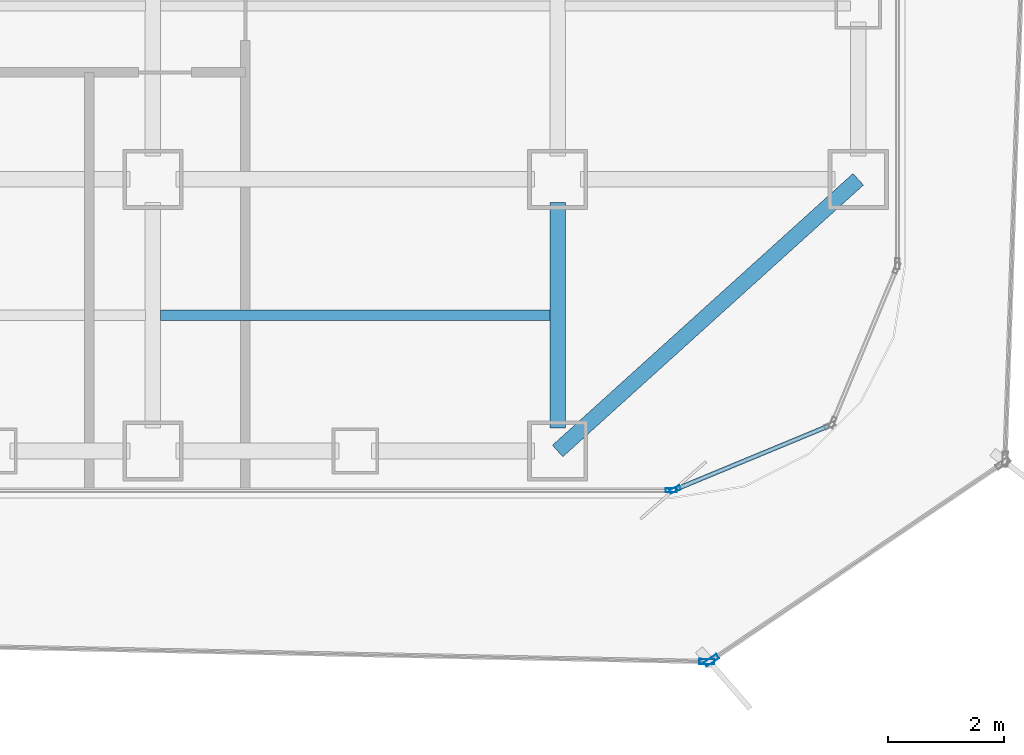
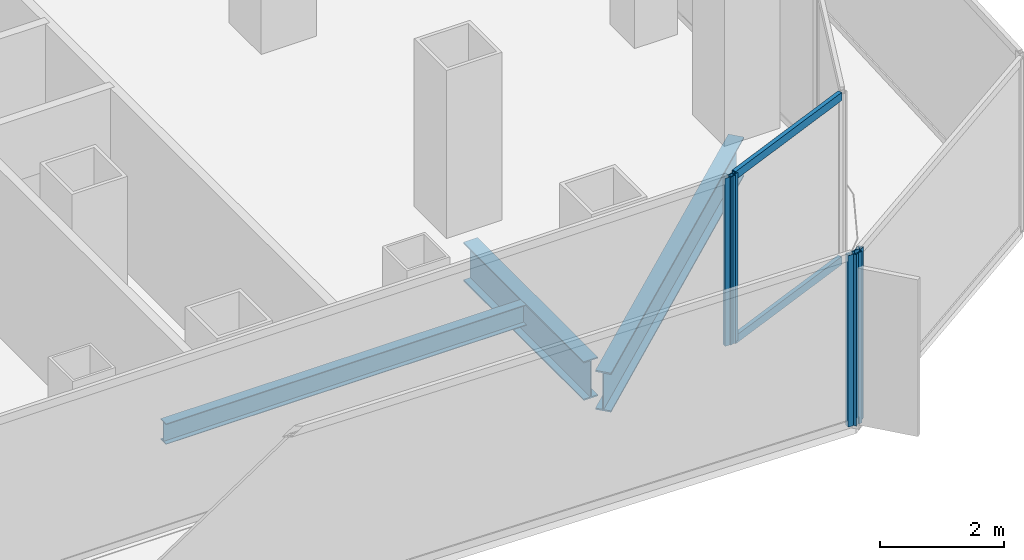
# One storey, part 6 of 21: 6 members, 3 beams, 4 elements without a shape of their own.
"""IFC4 building model written with IfcOpenShell, lengths in metres."""

from ifc_helpers import new_model, si_unit, direction, frame, origin, origin_2d, place, context, subcontext, project, spatial, hollow_rectangle, i_section, extrude, source, transform, mapped, material, layer, layer_set, material_profile, profile_set, type_object, element, aggregate, save


model = new_model("IFC4")

# Units and contexts
model_context = context("Model", 3, precision=1e-05, world=origin(), true_north=direction((0.0, 1.0)))
body_context = subcontext(model_context, "Body", "Model", "MODEL_VIEW")
ifc_project = project(units=[si_unit("LENGTHUNIT", "METRE"), si_unit("AREAUNIT", "SQUARE_METRE"), si_unit("VOLUMEUNIT", "CUBIC_METRE"), si_unit("PLANEANGLEUNIT", "RADIAN"), si_unit("MASSUNIT", "GRAM", prefix="KILO")], contexts=[model_context])

# Site, building, storey
site_placement = place(None, origin())
site = spatial("IfcSite", under=ifc_project, at=site_placement, CompositionType="ELEMENT")
building_placement = place(site_placement, origin())
building = spatial("IfcBuilding", under=site, at=building_placement, Name="Kolveth Station Tower", CompositionType="ELEMENT")
storey_placement = place(building_placement, frame((0.0, 0.0, 29.699951171875)))
storey = spatial("IfcBuildingStorey", under=building, at=storey_placement, Name="L07", CompositionType="ELEMENT", Elevation=29.699951171875)

# Beams
ifc_material_1 = material(Name="Steel S355", Category="steel")
ifc_material_profile_1 = material_profile(ifc_material_1, i_section(OverallWidth=0.26904296875, OverallDepth=0.77490234375, WebThickness=0.01708984375, FlangeThickness=0.0283203125, at=origin_2d()), Name="W760x220")
ifc_profile_set_1 = profile_set([ifc_material_profile_1], Name="Steel S355")
beam_type_1 = type_object("IfcBeamType", Name="Beam_SP1", PredefinedType="SPANDREL", material=ifc_profile_set_1)
shared_shape_1 = source(origin(), body_context, "Body", "SweptSolid", [
    extrude(i_section(OverallWidth=0.26904296875, OverallDepth=0.77490234375, WebThickness=0.01708984375, FlangeThickness=0.0283203125, at=origin_2d()), origin(), (0.0, 0.0, 1.0), 7.00927734375),
])
beam_1_placement = place(storey_placement, frame((41.0, 0.800048828125, -0.66748046875), z_axis=(0.741874009795, 0.670539300557, 0.0), x_axis=(-0.670539300557, 0.741874009795, 0.0)))
element("IfcBeam", 1, at=beam_1_placement, inside=storey, type_object=beam_type_1, Name="L07 Corner Edge Girder BM-L07-CNR-SE", PredefinedType="SPANDREL", context=body_context, shape_type="MappedRepresentation", body=[
    mapped(shared_shape_1, transform((0.0, 0.0, 0.0), x_axis=(1.0, 0.0, 0.0), y_axis=(0.0, 1.0, 0.0), z_axis=(0.0, 0.0, 1.0), scale=1.0)),
])
ifc_material_profile_2 = material_profile(ifc_material_1, i_section(OverallWidth=0.26708984375, OverallDepth=0.76611328125, WebThickness=0.014892578125, FlangeThickness=0.023681640625, at=origin_2d()), Name="W760x185")
ifc_profile_set_2 = profile_set([ifc_material_profile_2], Name="Steel S355")
beam_type_2 = type_object("IfcBeamType", Name="Beam_B3", PredefinedType="BEAM", material=ifc_profile_set_2)
shared_shape_2 = source(origin(), body_context, "Body", "SweptSolid", [
    extrude(i_section(OverallWidth=0.26708984375, OverallDepth=0.76611328125, WebThickness=0.014892578125, FlangeThickness=0.023681640625, at=origin_2d()), origin(), (0.0, 0.0, 1.0), 3.900146484375),
])
beam_2_placement = place(storey_placement, frame((41.0, 1.199951171875, -0.662841796875), z_axis=(0.0, 1.0, 0.0), x_axis=(-1.0, 0.0, 0.0)))
element("IfcBeam", 2, at=beam_2_placement, inside=storey, type_object=beam_type_2, Name="L07 Primary Girder BM-L07-GX410-1", PredefinedType="BEAM", context=body_context, shape_type="MappedRepresentation", body=[
    mapped(shared_shape_2, transform((0.0, 0.0, 0.0), x_axis=(1.0, 0.0, 0.0), y_axis=(0.0, 1.0, 0.0), z_axis=(0.0, 0.0, 1.0), scale=1.0)),
])
ifc_material_profile_3 = material_profile(ifc_material_1, i_section(OverallWidth=0.177978515625, OverallDepth=0.406982421875, WebThickness=0.0078125, FlangeThickness=0.0126953125, at=origin_2d()), Name="W410x60")
ifc_profile_set_3 = profile_set([ifc_material_profile_3], Name="Steel S355")
beam_type_3 = type_object("IfcBeamType", Name="Beam_J1", PredefinedType="JOIST", material=ifc_profile_set_3)
shared_shape_3 = source(origin(), body_context, "Body", "SweptSolid", [
    extrude(i_section(OverallWidth=0.177978515625, OverallDepth=0.406982421875, WebThickness=0.0078125, FlangeThickness=0.0126953125, at=origin_2d()), origin(), (0.0, 0.0, 1.0), 6.73681640625),
])
beam_3_placement = place(storey_placement, frame((34.131591796875, 3.14990234375, -0.4833984375), z_axis=(1.0, 0.0, 0.0), x_axis=(0.0, 1.0, 0.0)))
element("IfcBeam", 3, at=beam_3_placement, inside=storey, type_object=beam_type_3, Name="L07 Secondary Joist JST-L07-6-1", PredefinedType="JOIST", context=body_context, shape_type="MappedRepresentation", body=[
    mapped(shared_shape_3, transform((0.0, 0.0, 0.0), x_axis=(1.0, 0.0, 0.0), y_axis=(0.0, 1.0, 0.0), z_axis=(0.0, 0.0, 1.0), scale=1.0)),
])

# Curtain wall, member
ifc_material_2 = material(Name="Aluminium 6063-T6 and low-E dark glass", Category="aluminium")
ifc_layer_1 = layer(ifc_material_2, 0.179931640625)
ifc_layer_set_1 = layer_set([ifc_layer_1], Name="Aluminium 6063-T6 and low-E dark glass")
curtain_wall_type_1 = type_object("IfcCurtainWallType", Name="CurtainWall_CW-Z1", PredefinedType="NOTDEFINED", material=ifc_layer_set_1)
curtain_wall_1_placement = place(storey_placement, origin())
curtain_wall_1 = element("IfcCurtainWall", 4, at=curtain_wall_1_placement, inside=storey, type_object=curtain_wall_type_1, Name="L07 Inner Thermal Curtain Wall 1", PredefinedType="NOTDEFINED")
ifc_material_3 = material(Name="Black anodized aluminium 6063-T6", Category="aluminium")
ifc_material_profile_4 = material_profile(ifc_material_3, hollow_rectangle(XDim=0.074951171875, YDim=0.18994140625, WallThickness=0.0048828125, at=origin_2d()), Name="ALU-75x190x5")
ifc_profile_set_4 = profile_set([ifc_material_profile_4], Name="Black anodized aluminium 6063-T6")
member_type_1 = type_object("IfcMemberType", Name="Mullion_ML1", PredefinedType="MULLION", material=ifc_profile_set_4)
shared_shape_4 = source(origin(), body_context, "Body", "SweptSolid", [
    extrude(hollow_rectangle(XDim=0.074951171875, YDim=0.18994140625, WallThickness=0.0048828125, at=origin_2d()), origin(), (0.0, 0.0, 1.0), 3.320068359375),
])
member_1_placement = place(storey_placement, frame((43.03466796875, 0.13427734375, 0.0), z_axis=(0.0, 0.0, 1.0), x_axis=(-0.382672990201, 0.923883857728, 0.0)))
member_1 = element("IfcMember", 5, at=member_1_placement, type_object=member_type_1, Name="CW-Z1 mullion 1", PredefinedType="MULLION", context=body_context, shape_type="MappedRepresentation", body=[
    mapped(shared_shape_4, transform((0.0, 0.0, 0.0), x_axis=(1.0, 0.0, 0.0), y_axis=(0.0, 1.0, 0.0), z_axis=(0.0, 0.0, 1.0), scale=1.0)),
])

curtain_wall_2_placement = place(storey_placement, origin())
curtain_wall_2 = element("IfcCurtainWall", 6, at=curtain_wall_2_placement, inside=storey, type_object=curtain_wall_type_1, Name="L07 Inner Thermal Curtain Wall 12", PredefinedType="NOTDEFINED")
member_2_placement = place(storey_placement, frame((42.96240234375, 0.1201171875, 0.0), z_axis=(0.0, 0.0, 1.0), x_axis=(0.0, 1.0, 0.0)))
member_2 = element("IfcMember", 7, at=member_2_placement, type_object=member_type_1, Name="CW-Z1 mullion 3", PredefinedType="MULLION", context=body_context, shape_type="MappedRepresentation", body=[
    mapped(shared_shape_4, transform((0.0, 0.0, 0.0), x_axis=(1.0, 0.0, 0.0), y_axis=(0.0, 1.0, 0.0), z_axis=(0.0, 0.0, 1.0), scale=1.0)),
])
aggregate(curtain_wall_2, [member_2])

# Member
ifc_material_profile_5 = material_profile(ifc_material_3, hollow_rectangle(XDim=0.074951171875, YDim=0.159912109375, WallThickness=0.0048828125, at=origin_2d()), Name="ALU-75x160x5")
ifc_profile_set_5 = profile_set([ifc_material_profile_5], Name="Black anodized aluminium 6063-T6")
member_type_2 = type_object("IfcMemberType", Name="Transom_TR1", PredefinedType="USERDEFINED", material=ifc_profile_set_5)
shared_shape_5 = source(origin(), body_context, "Body", "SweptSolid", [
    extrude(hollow_rectangle(XDim=0.074951171875, YDim=0.159912109375, WallThickness=0.0048828125, at=origin_2d()), origin(), (0.0, 0.0, 1.0), 2.819580078125),
])
member_3_placement = place(storey_placement, frame((43.0693359375, 0.148681640625, 0.03759765625), z_axis=(0.923869084389, 0.382708655389, 0.0), x_axis=(-0.382708655389, 0.923869084389, 0.0)))
member_3 = element("IfcMember", 8, at=member_3_placement, type_object=member_type_2, Name="CW-Z1 transom 1.1", ObjectType="TRANSOM", PredefinedType="USERDEFINED", context=body_context, shape_type="MappedRepresentation", body=[
    mapped(shared_shape_5, transform((0.0, 0.0, 0.0), x_axis=(1.0, 0.0, 0.0), y_axis=(0.0, 1.0, 0.0), z_axis=(0.0, 0.0, 1.0), scale=1.0)),
])

member_4_placement = place(storey_placement, frame((43.0693359375, 0.148681640625, 3.282470703125), z_axis=(0.923869084389, 0.382708655389, 0.0), x_axis=(-0.382708655389, 0.923869084389, 0.0)))
member_4 = element("IfcMember", 9, at=member_4_placement, type_object=member_type_2, Name="CW-Z1 transom 1.2", ObjectType="TRANSOM", PredefinedType="USERDEFINED", context=body_context, shape_type="MappedRepresentation", body=[
    mapped(shared_shape_5, transform((0.0, 0.0, 0.0), x_axis=(1.0, 0.0, 0.0), y_axis=(0.0, 1.0, 0.0), z_axis=(0.0, 0.0, 1.0), scale=1.0)),
])

aggregate(curtain_wall_1, [member_1, member_3, member_4])

# Curtain wall, member
ifc_material_4 = material(Name="Black anodized aluminium 6063-T6 and dark solar glass", Category="aluminium")
ifc_layer_2 = layer(ifc_material_4, 0.159912109375)
ifc_layer_set_2 = layer_set([ifc_layer_2], Name="Black anodized aluminium 6063-T6 and dark solar glass")
curtain_wall_type_2 = type_object("IfcCurtainWallType", Name="OUTER SKIN CW-OS", PredefinedType="NOTDEFINED", material=ifc_layer_set_2)
curtain_wall_3_placement = place(storey_placement, origin())
curtain_wall_3 = element("IfcCurtainWall", 10, at=curtain_wall_3_placement, inside=storey, type_object=curtain_wall_type_2, Name="L07 Outer Ventilated Skin Curtain Wall 1", PredefinedType="NOTDEFINED")
ifc_material_profile_6 = material_profile(ifc_material_3, hollow_rectangle(XDim=0.090087890625, YDim=0.260009765625, WallThickness=0.0048828125, at=origin_2d()), Name="ALU-90x260x5")
ifc_profile_set_6 = profile_set([ifc_material_profile_6], Name="Black anodized aluminium 6063-T6")
member_type_3 = type_object("IfcMemberType", Name="FIN MULLION ML-OS", PredefinedType="MULLION", material=ifc_profile_set_6)
shared_shape_6 = source(origin(), body_context, "Body", "SweptSolid", [
    extrude(hollow_rectangle(XDim=0.090087890625, YDim=0.260009765625, WallThickness=0.0048828125, at=origin_2d()), origin(), (0.0, 0.0, 1.0), 3.39013671875),
])
member_5_placement = place(storey_placement, frame((43.662841796875, -2.820068359375, 0.0), z_axis=(0.0, 0.0, 1.0), x_axis=(-0.560155137852, 0.828387724159, 0.0)))
member_5 = element("IfcMember", 11, at=member_5_placement, type_object=member_type_3, Name="CW-OS mullion 1", PredefinedType="MULLION", context=body_context, shape_type="MappedRepresentation", body=[
    mapped(shared_shape_6, transform((0.0, 0.0, 0.0), x_axis=(1.0, 0.0, 0.0), y_axis=(0.0, 1.0, 0.0), z_axis=(0.0, 0.0, 1.0), scale=1.0)),
])
aggregate(curtain_wall_3, [member_5])

curtain_wall_4_placement = place(storey_placement, origin())
curtain_wall_4 = element("IfcCurtainWall", 12, at=curtain_wall_4_placement, inside=storey, type_object=curtain_wall_type_2, Name="L07 Outer Ventilated Skin Curtain Wall 8", PredefinedType="NOTDEFINED")
member_6_placement = place(storey_placement, frame((43.58056640625, -2.844482421875, 0.0), z_axis=(0.0, 0.0, 1.0), x_axis=(0.020333923002, 0.999793244414, 0.0)))
member_6 = element("IfcMember", 13, at=member_6_placement, type_object=member_type_3, Name="CW-OS mullion 2", PredefinedType="MULLION", context=body_context, shape_type="MappedRepresentation", body=[
    mapped(shared_shape_6, transform((0.0, 0.0, 0.0), x_axis=(1.0, 0.0, 0.0), y_axis=(0.0, 1.0, 0.0), z_axis=(0.0, 0.0, 1.0), scale=1.0)),
])
aggregate(curtain_wall_4, [member_6])

save(model, "model.ifc")
